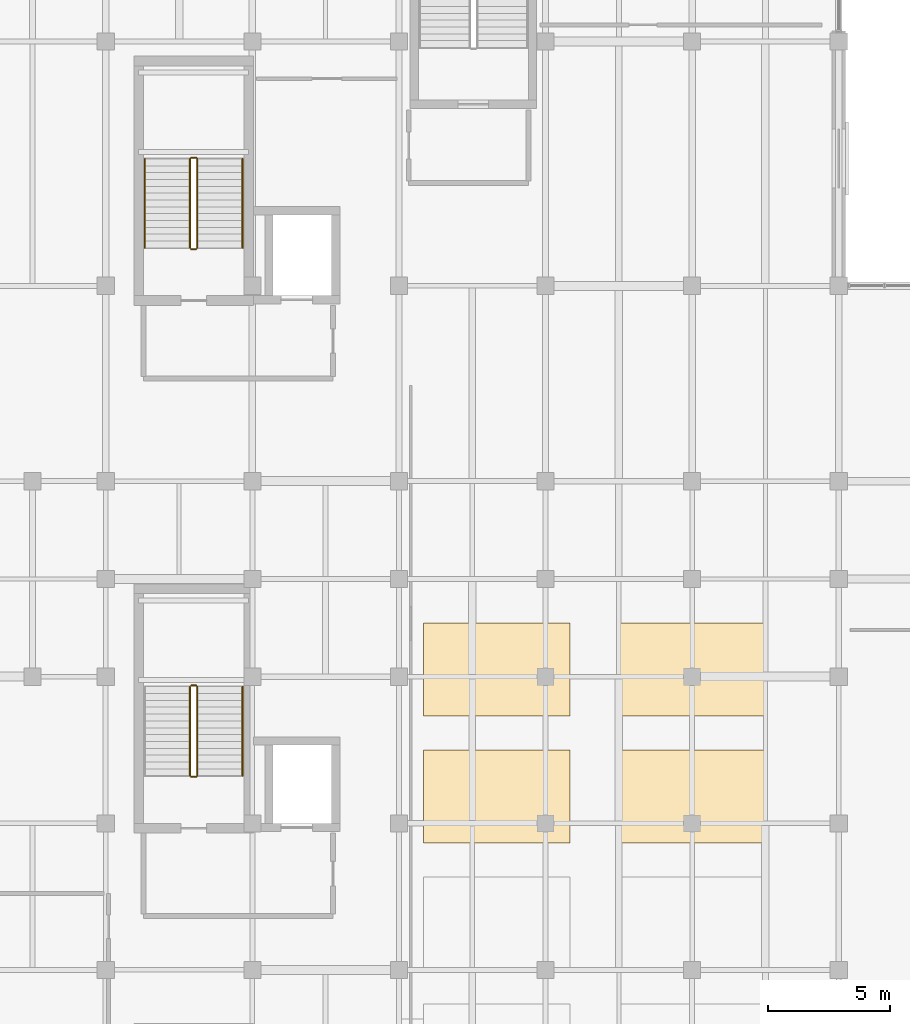
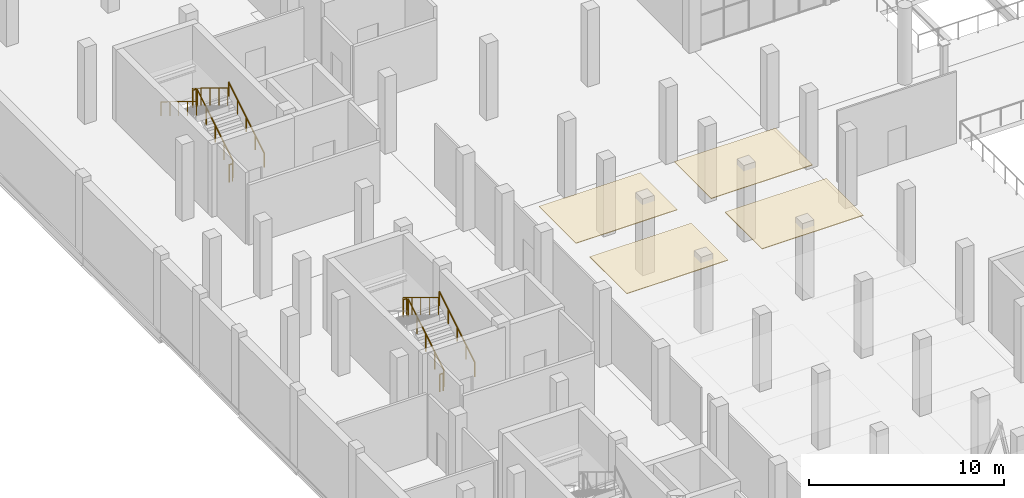
# One storey, part 107 of 114: 11 railings, 4 coverings.
"""IFC4 building model written with IfcOpenShell, lengths in metres."""

import ifcopenshell
import ifcopenshell.guid

model = None  # the IFC model being written
_history = None  # IfcOwnerHistory: only IFC2X3 demands one
_inside = {}  # id of a spatial element -> (the spatial element, [elements in it])
_under = {}  # id of a project, library or spatial element -> (it, [spatial elements below it])
_declared = {}  # id of a project -> (the project, [libraries it declares])
_typed = {}  # id of a type object -> (the type object, [elements of that type])
_made_of = {}  # id of a material, layer set ... -> (it, [elements and type objects made of it])


def new_model(schema):
    """Start an empty IFC model of exactly this schema.

    Asked for "IFC4X3", IfcOpenShell would pick the latest addendum, in which some entities
    have other attributes; the version numbers below select the first issue.
    IFC2X3 requires an IfcOwnerHistory on every rooted entity: one is made here for all.
    """
    global model, _history
    if schema == "IFC4X3":
        model = ifcopenshell.file(schema_version=(4, 3, 0, 0))
    else:
        model = ifcopenshell.file(schema=schema)
    _inside.clear()
    _under.clear()
    _declared.clear()
    _typed.clear()
    _made_of.clear()
    _history = None
    if model.schema == "IFC2X3":
        org = make("IfcOrganization", Name="unknown")
        user = make(
            "IfcPersonAndOrganization",
            ThePerson=make("IfcPerson", FamilyName="unknown"),
            TheOrganization=org,
        )
        app = make(
            "IfcApplication",
            ApplicationDeveloper=org,
            Version="unknown",
            ApplicationFullName="unknown",
            ApplicationIdentifier="unknown",
        )
        _history = make(
            "IfcOwnerHistory",
            OwningUser=user,
            OwningApplication=app,
            ChangeAction="ADDED",
            CreationDate=0,
        )
    return model


def make(cls, **values):
    """One entity of the class cls with the attributes given. An attribute that is None is left unset."""
    return model.create_entity(
        cls, **{name: value for name, value in values.items() if value is not None}
    )


def rooted(cls, **values):
    """An entity with a GlobalId (a new one), such as an element, a storey or a relation."""
    return make(cls, GlobalId=ifcopenshell.guid.new(), OwnerHistory=_history, **values)


def si_unit(unit_type, name, prefix=None):
    """IfcSIUnit, for example si_unit("LENGTHUNIT", "METRE", prefix="MILLI")."""
    return make("IfcSIUnit", UnitType=unit_type, Prefix=prefix, Name=name)


def assignment(units):
    """IfcUnitAssignment: the units of a project."""
    return None if units is None else make("IfcUnitAssignment", Units=units)


def point(xyz):
    """IfcCartesianPoint."""
    return None if xyz is None else make("IfcCartesianPoint", Coordinates=xyz)


def direction(xyz):
    """IfcDirection."""
    return None if xyz is None else make("IfcDirection", DirectionRatios=xyz)


def frame(location, z_axis=None, x_axis=None):
    """IfcAxis2Placement3D, a coordinate frame: its origin and axes. An axis left out is left unset."""
    return make(
        "IfcAxis2Placement3D",
        Location=point(location),
        Axis=direction(z_axis),
        RefDirection=direction(x_axis),
    )


def frame_2d(location, x_axis=None):
    """IfcAxis2Placement2D, a coordinate frame in the plane: its origin and x axis."""
    return make(
        "IfcAxis2Placement2D", Location=point(location), RefDirection=direction(x_axis)
    )


def origin():
    """The frame at (0, 0, 0) with its axes left unset."""
    return frame((0.0, 0.0, 0.0))


def origin_2d():
    """The frame at (0, 0) in the plane with its x axis left unset."""
    return frame_2d((0.0, 0.0))


def place(relative_to, where):
    """IfcLocalPlacement: puts the frame where relative to a parent placement (None: the world)."""
    return make(
        "IfcLocalPlacement", PlacementRelTo=relative_to, RelativePlacement=where
    )


def context(
    kind, dimensions, precision=None, world=None, true_north=None, identifier=None
):
    """IfcGeometricRepresentationContext, for example the 3D "Model" context."""
    return make(
        "IfcGeometricRepresentationContext",
        ContextIdentifier=identifier,
        ContextType=kind,
        CoordinateSpaceDimension=dimensions,
        Precision=precision,
        WorldCoordinateSystem=world,
        TrueNorth=true_north,
    )


def subcontext(parent, identifier, kind, view, scale=None):
    """IfcGeometricRepresentationSubContext, for example "Body" below "Model"."""
    return make(
        "IfcGeometricRepresentationSubContext",
        ContextIdentifier=identifier,
        ContextType=kind,
        ParentContext=parent,
        TargetScale=scale,
        TargetView=view,
    )


def project(units=None, contexts=None):
    """IfcProject with its units and contexts."""
    return rooted(
        "IfcProject",
        Name="project",
        RepresentationContexts=contexts,
        UnitsInContext=assignment(units),
    )


def spatial(cls, under=None, at=None, **own):
    """A site, building, storey or space (cls), placed at a placement, below another one or the project."""
    s = rooted(cls, ObjectPlacement=at, **own)
    if under is not None:
        _under.setdefault(under.id(), (under, []))[1].append(s)
    return s


def polyline(points):
    """IfcPolyline through the points."""
    return make("IfcPolyline", Points=[point(p) for p in points])


def profile(cls, at=None, kind="AREA", **sizes):
    """A parametric profile (cls). Its sizes go by their IFC names, for example OverallWidth=200.0."""
    return make(cls, ProfileType=kind, Position=at, **sizes)


def circle(**sizes):
    """IfcCircleProfileDef."""
    return profile("IfcCircleProfileDef", **sizes)


def outline(outer, holes=None, kind="AREA"):
    """IfcArbitraryClosedProfileDef: a profile drawn as a closed curve; with holes, ...WithVoids."""
    if holes is None:
        return make("IfcArbitraryClosedProfileDef", ProfileType=kind, OuterCurve=outer)
    return make(
        "IfcArbitraryProfileDefWithVoids",
        ProfileType=kind,
        OuterCurve=outer,
        InnerCurves=holes,
    )


def extrude(swept, where, along, depth):
    """IfcExtrudedAreaSolid: the profile swept, set in the frame where, extruded along a direction by depth."""
    return make(
        "IfcExtrudedAreaSolid",
        SweptArea=swept,
        Position=where,
        ExtrudedDirection=direction(along),
        Depth=depth,
    )


def shape(context_of_items, identifier, shape_type, items):
    """IfcShapeRepresentation: the items that make up one representation, for example the "Body"."""
    return make(
        "IfcShapeRepresentation",
        ContextOfItems=context_of_items,
        RepresentationIdentifier=identifier,
        RepresentationType=shape_type,
        Items=items,
    )


def material(Name=None, Category=None):
    """IfcMaterial."""
    return make("IfcMaterial", Name=Name, Category=Category)


def layer(
    of_material, thickness, ventilated=None, Name=None, Category=None, Priority=None
):
    """IfcMaterialLayer: one layer of a wall or slab, of a material (None: an air gap)."""
    return make(
        "IfcMaterialLayer",
        Material=of_material,
        LayerThickness=thickness,
        IsVentilated=ventilated,
        Name=Name,
        Category=Category,
        Priority=Priority,
    )


def layer_set(layers, Name=None):
    """IfcMaterialLayerSet."""
    return make("IfcMaterialLayerSet", MaterialLayers=layers, LayerSetName=Name)


def made_of(thing, what):
    """Note that an element or type object is made of a material, layer set ...; save() writes the relation."""
    if what is not None:
        _made_of.setdefault(what.id(), (what, []))[1].append(thing)
    return thing


def type_object(cls, material=None, **own):
    """A type object (cls), such as IfcWallType, which elements share."""
    return made_of(rooted(cls, **own), material)


def element(
    cls,
    number,
    at=None,
    inside=None,
    cuts=None,
    type_object=None,
    material=None,
    context=None,
    identifier="Body",
    shape_type=None,
    held_by="IfcProductDefinitionShape",
    body=None,
    shapes=None,
    **own,
):
    """One element of the class cls, such as IfcWall. Its Tag is "e" and its number.

    at: its placement. inside: the storey or other place that contains it. cuts: it is an
    opening in that element (IfcRelVoidsElement). A single representation is given by context,
    identifier, shape_type and body (its items); several are given by shapes. held_by: the class
    of the entity that holds the representations. save() writes the other relations.
    """
    e = rooted(cls, Tag="e%d" % number, ObjectPlacement=at, **own)
    if body is not None:
        shapes = [shape(context, identifier, shape_type, body)]
    if shapes is not None:
        e.Representation = make(held_by, Representations=shapes)
    if inside is not None:
        _inside.setdefault(inside.id(), (inside, []))[1].append(e)
    if cuts is not None:
        rooted(
            "IfcRelVoidsElement", RelatingBuildingElement=cuts, RelatedOpeningElement=e
        )
    if type_object is not None:
        _typed.setdefault(type_object.id(), (type_object, []))[1].append(e)
    return made_of(e, material)


def aggregate(whole, parts):
    """IfcRelAggregates: a whole, such as a stair, and the parts it consists of."""
    return rooted("IfcRelAggregates", RelatingObject=whole, RelatedObjects=parts)


def save(model, path):
    """Write the relations noted so far, then the file.

    IfcRelAggregates (storeys below a building ...), IfcRelContainedInSpatialStructure (elements
    in a storey), IfcRelDefinesByType, IfcRelAssociatesMaterial and IfcRelDeclares: one each for
    every whole, place, type object, material and project.
    """
    for whole, parts in _under.values():
        aggregate(whole, parts)
    for where, things in _inside.values():
        rooted(
            "IfcRelContainedInSpatialStructure",
            RelatedElements=things,
            RelatingStructure=where,
        )
    for kind, things in _typed.values():
        rooted("IfcRelDefinesByType", RelatedObjects=things, RelatingType=kind)
    for what, things in _made_of.values():
        rooted("IfcRelAssociatesMaterial", RelatedObjects=things, RelatingMaterial=what)
    for by, libraries in _declared.values():
        rooted("IfcRelDeclares", RelatingContext=by, RelatedDefinitions=libraries)
    model.write(path)


model = new_model("IFC4")

# Units and contexts
model_context = context("Model", 3, precision=1e-05, world=origin(), true_north=direction((0.0, 1.0)))
body_context = subcontext(model_context, "Body", "Model", "MODEL_VIEW")
ifc_project = project(units=[si_unit("LENGTHUNIT", "METRE"), si_unit("AREAUNIT", "SQUARE_METRE"), si_unit("VOLUMEUNIT", "CUBIC_METRE"), si_unit("PLANEANGLEUNIT", "RADIAN"), si_unit("MASSUNIT", "GRAM", prefix="KILO")], contexts=[model_context])

# Site, building, storey
site_placement = place(None, origin())
site = spatial("IfcSite", under=ifc_project, at=site_placement, CompositionType="ELEMENT")
building_placement = place(site_placement, origin())
building = spatial("IfcBuilding", under=site, at=building_placement, Name="Verrall Gate Interchange", CompositionType="ELEMENT")
storey_placement = place(building_placement, frame((0.0, 0.0, 6.60009765625)))
storey = spatial("IfcBuildingStorey", under=building, at=storey_placement, Name="L02", CompositionType="ELEMENT", Elevation=6.60009765625)

# Coverings
ifc_material_1 = material(Name="Micro-Perforated Acoustic Timber-Veneer Baffle Ceiling", Category="wood")
ifc_layer = layer(ifc_material_1, 0.0400390625)
ifc_layer_set = layer_set([ifc_layer], Name="Micro-Perforated Acoustic Timber-Veneer Baffle Ceiling")
covering_type = type_object("IfcCoveringType", Name="CLG-01 Acoustic Timber-Veneer Baffle Ceiling", PredefinedType="CEILING", material=ifc_layer_set)
covering_1_placement = place(storey_placement, frame((0.0, 0.0, 4.39990234375)))
element("IfcCovering", 1, at=covering_1_placement, inside=storey, type_object=covering_type, Name="L02 Acoustic Timber-Veneer Ceiling Coffer 13", PredefinedType="CEILING", context=body_context, shape_type="SweptSolid", body=[
    extrude(outline(polyline([(19.0, 33.199951171875), (25.0, 33.199951171875), (25.0, 37.0), (19.0, 37.0), (19.0, 33.199951171875)])), origin(), (0.0, 0.0, 1.0), 0.0400390625),
])
covering_2_placement = place(storey_placement, frame((0.0, 0.0, 4.39990234375)))
element("IfcCovering", 2, at=covering_2_placement, inside=storey, type_object=covering_type, Name="L02 Acoustic Timber-Veneer Ceiling Coffer 14", PredefinedType="CEILING", context=body_context, shape_type="SweptSolid", body=[
    extrude(outline(polyline([(27.0, 33.199951171875), (33.0, 33.199951171875), (33.0, 37.0), (27.0, 37.0), (27.0, 33.199951171875)])), origin(), (0.0, 0.0, 1.0), 0.0400390625),
])
covering_3_placement = place(storey_placement, frame((0.0, 0.0, 4.39990234375)))
element("IfcCovering", 3, at=covering_3_placement, inside=storey, type_object=covering_type, Name="L02 Acoustic Timber-Veneer Ceiling Coffer 15", PredefinedType="CEILING", context=body_context, shape_type="SweptSolid", body=[
    extrude(outline(polyline([(19.0, 38.39990234375), (25.0, 38.39990234375), (25.0, 42.199951171875), (19.0, 42.199951171875), (19.0, 38.39990234375)])), origin(), (0.0, 0.0, 1.0), 0.0400390625),
])
covering_4_placement = place(storey_placement, frame((0.0, 0.0, 4.39990234375)))
element("IfcCovering", 4, at=covering_4_placement, inside=storey, type_object=covering_type, Name="L02 Acoustic Timber-Veneer Ceiling Coffer 16", PredefinedType="CEILING", context=body_context, shape_type="SweptSolid", body=[
    extrude(outline(polyline([(27.0, 38.39990234375), (33.0, 38.39990234375), (33.0, 42.199951171875), (27.0, 42.199951171875), (27.0, 38.39990234375)])), origin(), (0.0, 0.0, 1.0), 0.0400390625),
])

# Railings
ifc_material_2 = material(Name="Brushed Stainless-Steel Guardrail and Handrail System", Category="steel")
railing_type_1 = type_object("IfcRailingType", Name="GR-02 Interior Atrium and Stair Guardrail 1100", PredefinedType="GUARDRAIL", material=ifc_material_2)
railing_1_placement = place(storey_placement, frame((9.75, 35.949951171875, 0.17138671875)))
element("IfcRailing", 5, at=railing_1_placement, inside=storey, type_object=railing_type_1, Name="L02 ST-02 stair guard 1", PredefinedType="GUARDRAIL", context=body_context, shape_type="SweptSolid", body=[
    extrude(circle(Radius=0.02392578125, at=origin_2d()), frame((0.0, 0.0, 1.076171875), z_axis=(0.0, 0.852865859571, 0.52213008492), x_axis=(-1.0, 0.0, 0.0)), (0.0, 0.0, 1.0), 4.26806640625),
    extrude(circle(Radius=0.02099609375, at=origin_2d()), origin(), (0.0, 0.0, 1.0), 1.052001953125),
    extrude(circle(Radius=0.02099609375, at=origin_2d()), frame((0.0, 0.91015625, 0.55712890625)), (0.0, 0.0, 1.0), 1.052001953125),
    extrude(circle(Radius=0.02099609375, at=origin_2d()), frame((0.0, 1.820068359375, 1.1142578125)), (0.0, 0.0, 1.0), 1.052001953125),
    extrude(circle(Radius=0.02099609375, at=origin_2d()), frame((0.0, 2.72998046875, 1.67138671875)), (0.0, 0.0, 1.0), 1.052001953125),
    extrude(circle(Radius=0.02099609375, at=origin_2d()), frame((0.0, 3.64013671875, 2.228515625)), (0.0, 0.0, 1.0), 1.052001953125),
])
railing_2_placement = place(storey_placement, frame((9.699951171875, 39.639892578125, 2.39990234375)))
element("IfcRailing", 6, at=railing_2_placement, inside=storey, type_object=railing_type_1, Name="L02 ST-02 stair guard 2", PredefinedType="GUARDRAIL", context=body_context, shape_type="SweptSolid", body=[
    extrude(circle(Radius=0.02392578125, at=origin_2d()), frame((0.0, 0.0, 1.076171875), z_axis=(-1.0, 0.0, 0.0), x_axis=(0.0, -1.0, 0.0)), (0.0, 0.0, 1.0), 0.199951171875),
    extrude(circle(Radius=0.02099609375, at=origin_2d()), origin(), (0.0, 0.0, 1.0), 1.052001953125),
    extrude(circle(Radius=0.02099609375, at=origin_2d()), frame((-0.199951171875, 0.0, 0.0)), (0.0, 0.0, 1.0), 1.052001953125),
])
railing_3_placement = place(storey_placement, frame((9.449951171875, 39.590087890625, 2.5712890625)))
element("IfcRailing", 7, at=railing_3_placement, inside=storey, type_object=railing_type_1, Name="L02 ST-02 stair guard 3", PredefinedType="GUARDRAIL", context=body_context, shape_type="SweptSolid", body=[
    extrude(circle(Radius=0.02392578125, at=origin_2d()), frame((0.0, 0.0, 1.076171875), z_axis=(0.0, -0.852865859571, 0.52213008492), x_axis=(1.0, 0.0, 0.0)), (0.0, 0.0, 1.0), 4.26806640625),
    extrude(circle(Radius=0.02099609375, at=origin_2d()), origin(), (0.0, 0.0, 1.0), 1.052001953125),
    extrude(circle(Radius=0.02099609375, at=origin_2d()), frame((0.0, -0.91015625, 0.55712890625)), (0.0, 0.0, 1.0), 1.052001953125),
    extrude(circle(Radius=0.02099609375, at=origin_2d()), frame((0.0, -1.820068359375, 1.1142578125)), (0.0, 0.0, 1.0), 1.052001953125),
    extrude(circle(Radius=0.02099609375, at=origin_2d()), frame((0.0, -2.72998046875, 1.67138671875)), (0.0, 0.0, 1.0), 1.052001953125),
    extrude(circle(Radius=0.02099609375, at=origin_2d()), frame((0.0, -3.64013671875, 2.228515625)), (0.0, 0.0, 1.0), 1.052001953125),
])
railing_4_placement = place(storey_placement, frame((9.699951171875, 35.89990234375, 0.0)))
element("IfcRailing", 8, at=railing_4_placement, inside=storey, type_object=railing_type_1, Name="L02 ST-02 stair guard 4", PredefinedType="GUARDRAIL", context=body_context, shape_type="SweptSolid", body=[
    extrude(circle(Radius=0.02392578125, at=origin_2d()), frame((0.0, 0.0, 1.076171875), z_axis=(-1.0, 0.0, 0.0), x_axis=(0.0, -1.0, 0.0)), (0.0, 0.0, 1.0), 0.199951171875),
    extrude(circle(Radius=0.02099609375, at=origin_2d()), origin(), (0.0, 0.0, 1.0), 1.052001953125),
    extrude(circle(Radius=0.02099609375, at=origin_2d()), frame((-0.199951171875, 0.0, 0.0)), (0.0, 0.0, 1.0), 1.052001953125),
])
railing_5_placement = place(storey_placement, frame((9.75, 57.550048828125, 0.17138671875)))
element("IfcRailing", 9, at=railing_5_placement, inside=storey, type_object=railing_type_1, Name="L02 ST-03 stair guard 1", PredefinedType="GUARDRAIL", context=body_context, shape_type="SweptSolid", body=[
    extrude(circle(Radius=0.02392578125, at=origin_2d()), frame((0.0, 0.0, 1.076171875), z_axis=(0.0, 0.852850264322, 0.5221555579), x_axis=(-1.0, 0.0, 0.0)), (0.0, 0.0, 1.0), 4.267822265625),
    extrude(circle(Radius=0.02099609375, at=origin_2d()), origin(), (0.0, 0.0, 1.0), 1.052001953125),
    extrude(circle(Radius=0.02099609375, at=origin_2d()), frame((0.0, 0.909912109375, 0.55712890625)), (0.0, 0.0, 1.0), 1.052001953125),
    extrude(circle(Radius=0.02099609375, at=origin_2d()), frame((0.0, 1.81982421875, 1.1142578125)), (0.0, 0.0, 1.0), 1.052001953125),
    extrude(circle(Radius=0.02099609375, at=origin_2d()), frame((0.0, 2.72998046875, 1.67138671875)), (0.0, 0.0, 1.0), 1.052001953125),
    extrude(circle(Radius=0.02099609375, at=origin_2d()), frame((0.0, 3.639892578125, 2.228515625)), (0.0, 0.0, 1.0), 1.052001953125),
])
railing_6_placement = place(storey_placement, frame((9.699951171875, 61.239990234375, 2.39990234375)))
element("IfcRailing", 10, at=railing_6_placement, inside=storey, type_object=railing_type_1, Name="L02 ST-03 stair guard 2", PredefinedType="GUARDRAIL", context=body_context, shape_type="SweptSolid", body=[
    extrude(circle(Radius=0.02392578125, at=origin_2d()), frame((0.0, 0.0, 1.076171875), z_axis=(-1.0, 0.0, 0.0), x_axis=(0.0, -1.0, 0.0)), (0.0, 0.0, 1.0), 0.199951171875),
    extrude(circle(Radius=0.02099609375, at=origin_2d()), origin(), (0.0, 0.0, 1.0), 1.052001953125),
    extrude(circle(Radius=0.02099609375, at=origin_2d()), frame((-0.199951171875, 0.0, 0.0)), (0.0, 0.0, 1.0), 1.052001953125),
])
railing_7_placement = place(storey_placement, frame((9.449951171875, 61.18994140625, 2.5712890625)))
element("IfcRailing", 11, at=railing_7_placement, inside=storey, type_object=railing_type_1, Name="L02 ST-03 stair guard 3", PredefinedType="GUARDRAIL", context=body_context, shape_type="SweptSolid", body=[
    extrude(circle(Radius=0.02392578125, at=origin_2d()), frame((0.0, 0.0, 1.076171875), z_axis=(0.0, -0.852850264322, 0.5221555579), x_axis=(1.0, 0.0, 0.0)), (0.0, 0.0, 1.0), 4.267822265625),
    extrude(circle(Radius=0.02099609375, at=origin_2d()), origin(), (0.0, 0.0, 1.0), 1.052001953125),
    extrude(circle(Radius=0.02099609375, at=origin_2d()), frame((0.0, -0.909912109375, 0.55712890625)), (0.0, 0.0, 1.0), 1.052001953125),
    extrude(circle(Radius=0.02099609375, at=origin_2d()), frame((0.0, -1.81982421875, 1.1142578125)), (0.0, 0.0, 1.0), 1.052001953125),
    extrude(circle(Radius=0.02099609375, at=origin_2d()), frame((0.0, -2.72998046875, 1.67138671875)), (0.0, 0.0, 1.0), 1.052001953125),
    extrude(circle(Radius=0.02099609375, at=origin_2d()), frame((0.0, -3.639892578125, 2.228515625)), (0.0, 0.0, 1.0), 1.052001953125),
])
railing_8_placement = place(storey_placement, frame((9.699951171875, 57.5, 0.0)))
element("IfcRailing", 12, at=railing_8_placement, inside=storey, type_object=railing_type_1, Name="L02 ST-03 stair guard 4", PredefinedType="GUARDRAIL", context=body_context, shape_type="SweptSolid", body=[
    extrude(circle(Radius=0.02392578125, at=origin_2d()), frame((0.0, 0.0, 1.076171875), z_axis=(-1.0, 0.0, 0.0), x_axis=(0.0, -1.0, 0.0)), (0.0, 0.0, 1.0), 0.199951171875),
    extrude(circle(Radius=0.02099609375, at=origin_2d()), origin(), (0.0, 0.0, 1.0), 1.052001953125),
    extrude(circle(Radius=0.02099609375, at=origin_2d()), frame((-0.199951171875, 0.0, 0.0)), (0.0, 0.0, 1.0), 1.052001953125),
])
ifc_material_3 = material(Name="Brushed Stainless-Steel Guardrail and Handrail System", Category="steel")
railing_type_2 = type_object("IfcRailingType", Name="HR-01 Stair and Ramp Pitch-Line Handrail 920", PredefinedType="HANDRAIL", material=ifc_material_3)
railing_9_placement = place(storey_placement, frame((11.60009765625, 35.949951171875, 0.17138671875)))
element("IfcRailing", 13, at=railing_9_placement, inside=storey, type_object=railing_type_2, Name="L02 ST-02 stair handrail 1", PredefinedType="HANDRAIL", context=body_context, shape_type="SweptSolid", body=[
    extrude(circle(Radius=0.02392578125, at=origin_2d()), frame((0.0, 0.0, 0.8759765625), z_axis=(0.0, 0.852865859571, 0.52213008492), x_axis=(-1.0, 0.0, 0.0)), (0.0, 0.0, 1.0), 4.26806640625),
    extrude(circle(Radius=0.02099609375, at=origin_2d()), origin(), (0.0, 0.0, 1.0), 0.851806640625),
    extrude(circle(Radius=0.02099609375, at=origin_2d()), frame((0.0, 0.91015625, 0.55712890625)), (0.0, 0.0, 1.0), 0.851806640625),
    extrude(circle(Radius=0.02099609375, at=origin_2d()), frame((0.0, 1.820068359375, 1.1142578125)), (0.0, 0.0, 1.0), 0.851806640625),
    extrude(circle(Radius=0.02099609375, at=origin_2d()), frame((0.0, 2.72998046875, 1.67138671875)), (0.0, 0.0, 1.0), 0.851806640625),
    extrude(circle(Radius=0.02099609375, at=origin_2d()), frame((0.0, 3.64013671875, 2.228515625)), (0.0, 0.0, 1.0), 0.851806640625),
])
railing_10_placement = place(storey_placement, frame((11.60009765625, 57.550048828125, 0.17138671875)))
element("IfcRailing", 14, at=railing_10_placement, inside=storey, type_object=railing_type_2, Name="L02 ST-03 stair handrail 1", PredefinedType="HANDRAIL", context=body_context, shape_type="SweptSolid", body=[
    extrude(circle(Radius=0.02392578125, at=origin_2d()), frame((0.0, 0.0, 0.8759765625), z_axis=(0.0, 0.852850264322, 0.5221555579), x_axis=(-1.0, 0.0, 0.0)), (0.0, 0.0, 1.0), 4.267822265625),
    extrude(circle(Radius=0.02099609375, at=origin_2d()), origin(), (0.0, 0.0, 1.0), 0.851806640625),
    extrude(circle(Radius=0.02099609375, at=origin_2d()), frame((0.0, 0.909912109375, 0.55712890625)), (0.0, 0.0, 1.0), 0.851806640625),
    extrude(circle(Radius=0.02099609375, at=origin_2d()), frame((0.0, 1.81982421875, 1.1142578125)), (0.0, 0.0, 1.0), 0.851806640625),
    extrude(circle(Radius=0.02099609375, at=origin_2d()), frame((0.0, 2.72998046875, 1.67138671875)), (0.0, 0.0, 1.0), 0.851806640625),
    extrude(circle(Radius=0.02099609375, at=origin_2d()), frame((0.0, 3.639892578125, 2.228515625)), (0.0, 0.0, 1.0), 0.851806640625),
])
railing_11_placement = place(storey_placement, frame((7.60009765625, 61.18994140625, 2.5712890625)))
element("IfcRailing", 15, at=railing_11_placement, inside=storey, type_object=railing_type_2, Name="L02 ST-03 stair handrail 2", PredefinedType="HANDRAIL", context=body_context, shape_type="SweptSolid", body=[
    extrude(circle(Radius=0.02392578125, at=origin_2d()), frame((0.0, 0.0, 0.8759765625), z_axis=(0.0, -0.852850264322, 0.5221555579), x_axis=(1.0, 0.0, 0.0)), (0.0, 0.0, 1.0), 4.267822265625),
    extrude(circle(Radius=0.02099609375, at=origin_2d()), origin(), (0.0, 0.0, 1.0), 0.851806640625),
    extrude(circle(Radius=0.02099609375, at=origin_2d()), frame((0.0, -0.909912109375, 0.55712890625)), (0.0, 0.0, 1.0), 0.851806640625),
    extrude(circle(Radius=0.02099609375, at=origin_2d()), frame((0.0, -1.81982421875, 1.1142578125)), (0.0, 0.0, 1.0), 0.851806640625),
    extrude(circle(Radius=0.02099609375, at=origin_2d()), frame((0.0, -2.72998046875, 1.67138671875)), (0.0, 0.0, 1.0), 0.851806640625),
    extrude(circle(Radius=0.02099609375, at=origin_2d()), frame((0.0, -3.639892578125, 2.228515625)), (0.0, 0.0, 1.0), 0.851806640625),
])

save(model, "model.ifc")
